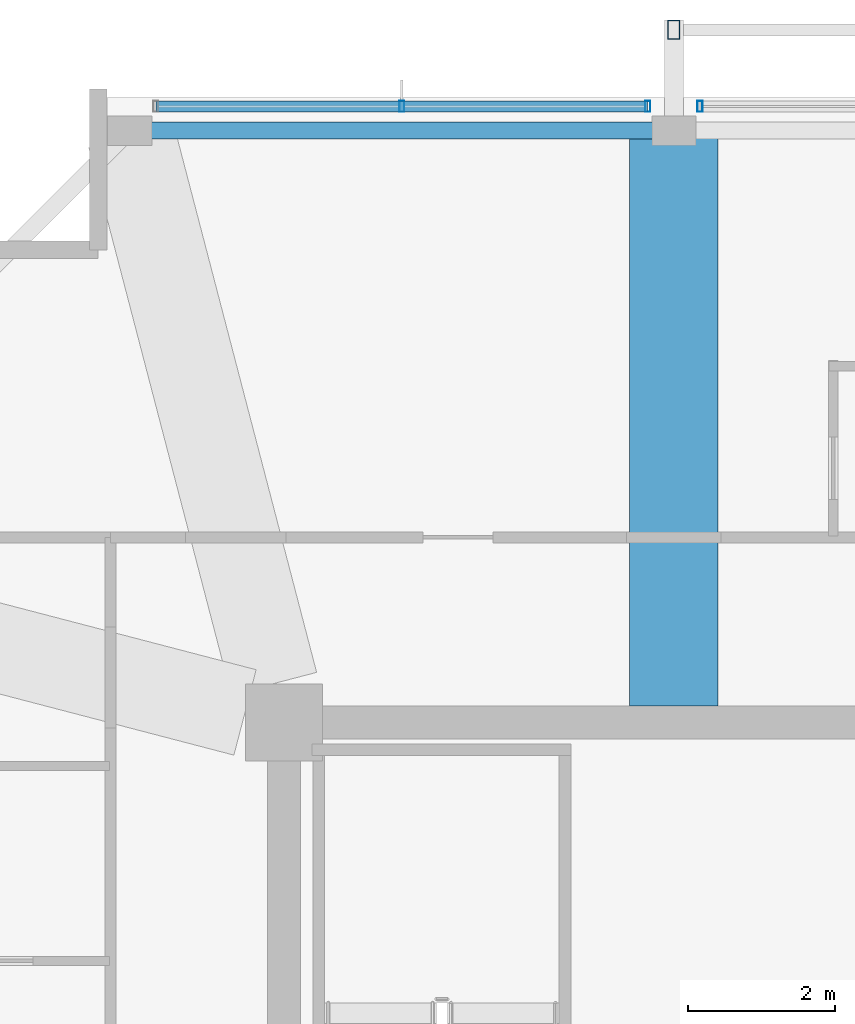
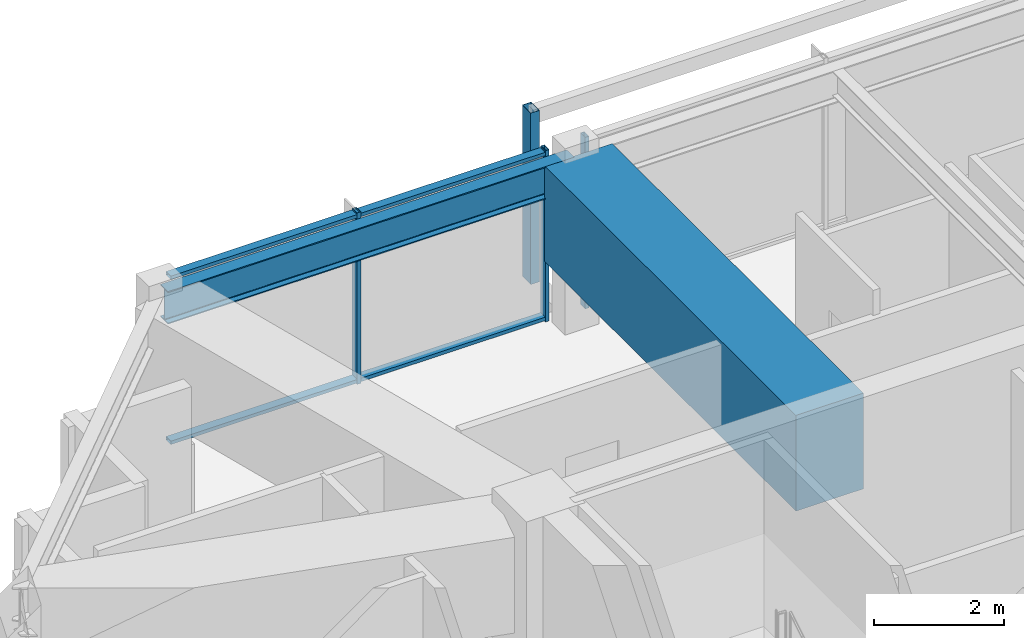
# One storey, part 15 of 30: 6 members, 2 beams, 2 elements without a shape of their own.
"""IFC4 building model written with IfcOpenShell, lengths in metres."""

from ifc_helpers import new_model, si_unit, direction, frame, origin, origin_2d, place, context, subcontext, project, spatial, rectangle, hollow_rectangle, i_section, extrude, material, material_profile, profile_set, type_object, element, aggregate, save


model = new_model("IFC4")

# Units and contexts
model_context = context("Model", 3, precision=1e-05, world=origin(), true_north=direction((0.0, 1.0)))
body_context = subcontext(model_context, "Body", "Model", "MODEL_VIEW")
ifc_project = project(units=[si_unit("LENGTHUNIT", "METRE"), si_unit("AREAUNIT", "SQUARE_METRE"), si_unit("VOLUMEUNIT", "CUBIC_METRE"), si_unit("PLANEANGLEUNIT", "RADIAN"), si_unit("MASSUNIT", "GRAM", prefix="KILO")], contexts=[model_context])

# Site, building, storey
site_placement = place(None, origin())
site = spatial("IfcSite", under=ifc_project, at=site_placement, CompositionType="ELEMENT")
building_placement = place(site_placement, origin())
building = spatial("IfcBuilding", under=site, at=building_placement, Name="Kolvaren Belvedere", CompositionType="ELEMENT")
storey_placement = place(building_placement, frame((0.0, 0.0, 254.89990234375)))
storey = spatial("IfcBuildingStorey", under=building, at=storey_placement, Name="L74", CompositionType="ELEMENT", Elevation=254.89990234375)

# Beams
ifc_material_1 = material(Name="Structural steel ASTM A992 Grade 50", Category="steel")
ifc_material_profile_1 = material_profile(ifc_material_1, i_section(OverallWidth=0.22900390625, OverallDepth=0.612060546875, WebThickness=0.011962890625, FlangeThickness=0.01953125, FilletRadius=0.01806640625, at=origin_2d()), Name="W24X84")
ifc_profile_set_1 = profile_set([ifc_material_profile_1], Name="Structural steel ASTM A992 Grade 50")
beam_type_1 = type_object("IfcBeamType", Name="BM-SPAN-W24X84", PredefinedType="SPANDREL", material=ifc_profile_set_1)
beam_1_placement = place(storey_placement, frame((-4.68994140625, 17.949951171875, 2.9140625), z_axis=(-1.0, 0.0, 0.0), x_axis=(0.0, -1.0, 0.0)))
element("IfcBeam", 1, at=beam_1_placement, inside=storey, type_object=beam_type_1, Name="L74 Perimeter Spandrel N2-N1", PredefinedType="SPANDREL", context=body_context, shape_type="SweptSolid", body=[
    extrude(i_section(OverallWidth=0.22900390625, OverallDepth=0.612060546875, WebThickness=0.011962890625, FlangeThickness=0.01953125, FilletRadius=0.01806640625, at=origin_2d()), origin(), (0.0, 0.0, 1.0), 7.219970703125),
])
ifc_material_2 = material(Name="Concrete C50/60", Category="concrete")
ifc_material_profile_2 = material_profile(ifc_material_2, rectangle(XDim=1.199951171875, YDim=1.800048828125, at=origin_2d()), Name="RC 1200X1800")
ifc_profile_set_2 = profile_set([ifc_material_profile_2], Name="Concrete C50/60")
beam_type_2 = type_object("IfcBeamType", Name="BM-TG-1800", PredefinedType="BEAM", material=ifc_profile_set_2)
beam_2_placement = place(storey_placement, frame((-4.60009765625, 10.125, 2.320068359375), z_axis=(0.0, 1.0, 0.0), x_axis=(-1.0, 0.0, 0.0)))
element("IfcBeam", 2, at=beam_2_placement, inside=storey, type_object=beam_type_2, Name="L74 North Radial Girder M", PredefinedType="BEAM", context=body_context, shape_type="SweptSolid", body=[
    extrude(rectangle(XDim=1.199951171875, YDim=1.800048828125, at=origin_2d()), origin(), (0.0, 0.0, 1.0), 7.735107421875),
])

# Curtain wall, members
ifc_material_3 = material(Name="Anodised pale-metal aluminium AA 6063-T6", Category="aluminium")
curtain_wall_type = type_object("IfcCurtainWallType", Name="CW-Z5-HIGH", PredefinedType="NOTDEFINED", material=ifc_material_3)
curtain_wall_1_placement = place(storey_placement, origin())
curtain_wall_1 = element("IfcCurtainWall", 3, at=curtain_wall_1_placement, inside=storey, type_object=curtain_wall_type, Name="L74 Unitised Curtain Wall FCW-L74-N-B1", PredefinedType="NOTDEFINED")
ifc_material_4 = material(Name="Anodised pale-metal aluminium AA 6063-T6", Category="aluminium")
ifc_material_profile_3 = material_profile(ifc_material_4, hollow_rectangle(XDim=0.070068359375, YDim=0.14990234375, WallThickness=0.004150390625, at=origin_2d()), Name="ALU-MUL-150X70")
ifc_profile_set_3 = profile_set([ifc_material_profile_3], Name="Anodised pale-metal aluminium AA 6063-T6")
member_type_1 = type_object("IfcMemberType", Name="CW-MUL-150", PredefinedType="MULLION", material=ifc_profile_set_3)
member_1_placement = place(storey_placement, frame((-8.300048828125, 18.280029296875, 0.0), z_axis=(0.0, 0.0, 1.0), x_axis=(1.0, 0.0, 0.0)))
member_1 = element("IfcMember", 4, at=member_1_placement, type_object=member_type_1, Name="FCW-L74-N-B1 Unitised Mullion 2", PredefinedType="MULLION", context=body_context, shape_type="SweptSolid", body=[
    extrude(hollow_rectangle(XDim=0.070068359375, YDim=0.14990234375, WallThickness=0.004150390625, at=origin_2d()), origin(), (0.0, 0.0, 1.0), 3.22021484375),
])
member_2_placement = place(storey_placement, frame((-4.955078125, 18.280029296875, 0.0), z_axis=(0.0, 0.0, 1.0), x_axis=(1.0, 0.0, 0.0)))
member_2 = element("IfcMember", 5, at=member_2_placement, type_object=member_type_1, Name="FCW-L74-N-B1 Unitised Mullion 3", PredefinedType="MULLION", context=body_context, shape_type="SweptSolid", body=[
    extrude(hollow_rectangle(XDim=0.070068359375, YDim=0.14990234375, WallThickness=0.004150390625, at=origin_2d()), origin(), (0.0, 0.0, 1.0), 3.22021484375),
])

# Curtain wall, member
curtain_wall_2_placement = place(storey_placement, origin())
curtain_wall_2 = element("IfcCurtainWall", 6, at=curtain_wall_2_placement, inside=storey, type_object=curtain_wall_type, Name="L74 Unitised Curtain Wall FCW-L74-N-B2", PredefinedType="NOTDEFINED")
member_3_placement = place(storey_placement, frame((-4.2451171875, 18.280029296875, 0.0), z_axis=(0.0, 0.0, 1.0), x_axis=(1.0, 0.0, 0.0)))
member_3 = element("IfcMember", 7, at=member_3_placement, type_object=member_type_1, Name="FCW-L74-N-B2 Unitised Mullion 1", PredefinedType="MULLION", context=body_context, shape_type="SweptSolid", body=[
    extrude(hollow_rectangle(XDim=0.070068359375, YDim=0.14990234375, WallThickness=0.004150390625, at=origin_2d()), origin(), (0.0, 0.0, 1.0), 3.22021484375),
])
aggregate(curtain_wall_2, [member_3])

# Member
ifc_material_5 = material(Name="Anodised pale-metal aluminium AA 6063-T6", Category="aluminium")
ifc_material_profile_4 = material_profile(ifc_material_5, hollow_rectangle(XDim=0.06494140625, YDim=0.14990234375, WallThickness=0.00390625, at=origin_2d()), Name="ALU-TRN-150X65")
ifc_profile_set_4 = profile_set([ifc_material_profile_4], Name="Anodised pale-metal aluminium AA 6063-T6")
member_type_2 = type_object("IfcMemberType", Name="CW-TRN-150", PredefinedType="USERDEFINED", material=ifc_profile_set_4)
member_4_placement = place(storey_placement, frame((-11.64501953125, 18.280029296875, 0.06005859375), z_axis=(1.0, 0.0, 0.0), x_axis=(0.0, 0.0, 1.0)))
member_4 = element("IfcMember", 8, at=member_4_placement, type_object=member_type_2, Name="FCW-L74-N-B1 Sill Transom", ObjectType="TRANSOM", PredefinedType="USERDEFINED", context=body_context, shape_type="SweptSolid", body=[
    extrude(hollow_rectangle(XDim=0.06494140625, YDim=0.14990234375, WallThickness=0.00390625, at=origin_2d()), origin(), (0.0, 0.0, 1.0), 6.68994140625),
])

member_5_placement = place(storey_placement, frame((-11.64501953125, 18.280029296875, 3.16015625), z_axis=(1.0, 0.0, 0.0), x_axis=(0.0, 0.0, 1.0)))
member_5 = element("IfcMember", 9, at=member_5_placement, type_object=member_type_2, Name="FCW-L74-N-B1 Head Transom", ObjectType="TRANSOM", PredefinedType="USERDEFINED", context=body_context, shape_type="SweptSolid", body=[
    extrude(hollow_rectangle(XDim=0.06494140625, YDim=0.14990234375, WallThickness=0.00390625, at=origin_2d()), origin(), (0.0, 0.0, 1.0), 6.68994140625),
])

aggregate(curtain_wall_1, [member_1, member_2, member_4, member_5])

ifc_material_6 = material(Name="Anodised pale-metal aluminium AA 6063-T6", Category="aluminium")
ifc_material_profile_5 = material_profile(ifc_material_6, hollow_rectangle(XDim=0.159912109375, YDim=0.260009765625, WallThickness=0.006591796875, at=origin_2d()), Name="ALU-PF-260X160")
ifc_profile_set_5 = profile_set([ifc_material_profile_5], Name="Anodised pale-metal aluminium AA 6063-T6")
member_type_3 = type_object("IfcMemberType", Name="PF-FRAME-260", PredefinedType="USERDEFINED", material=ifc_profile_set_5)
member_6_placement = place(storey_placement, frame((-4.60009765625, 19.320068359375, 0.0), z_axis=(0.0, 0.0, 1.0), x_axis=(1.0, 0.0, 0.0)))
element("IfcMember", 10, at=member_6_placement, inside=storey, type_object=member_type_3, Name="L74 Outboard Picture-Frame Vertical N1", ObjectType="PICTURE FRAME FIN", PredefinedType="USERDEFINED", context=body_context, shape_type="SweptSolid", body=[
    extrude(hollow_rectangle(XDim=0.159912109375, YDim=0.260009765625, WallThickness=0.006591796875, at=origin_2d()), origin(), (0.0, 0.0, 1.0), 3.22021484375),
])

save(model, "model.ifc")
